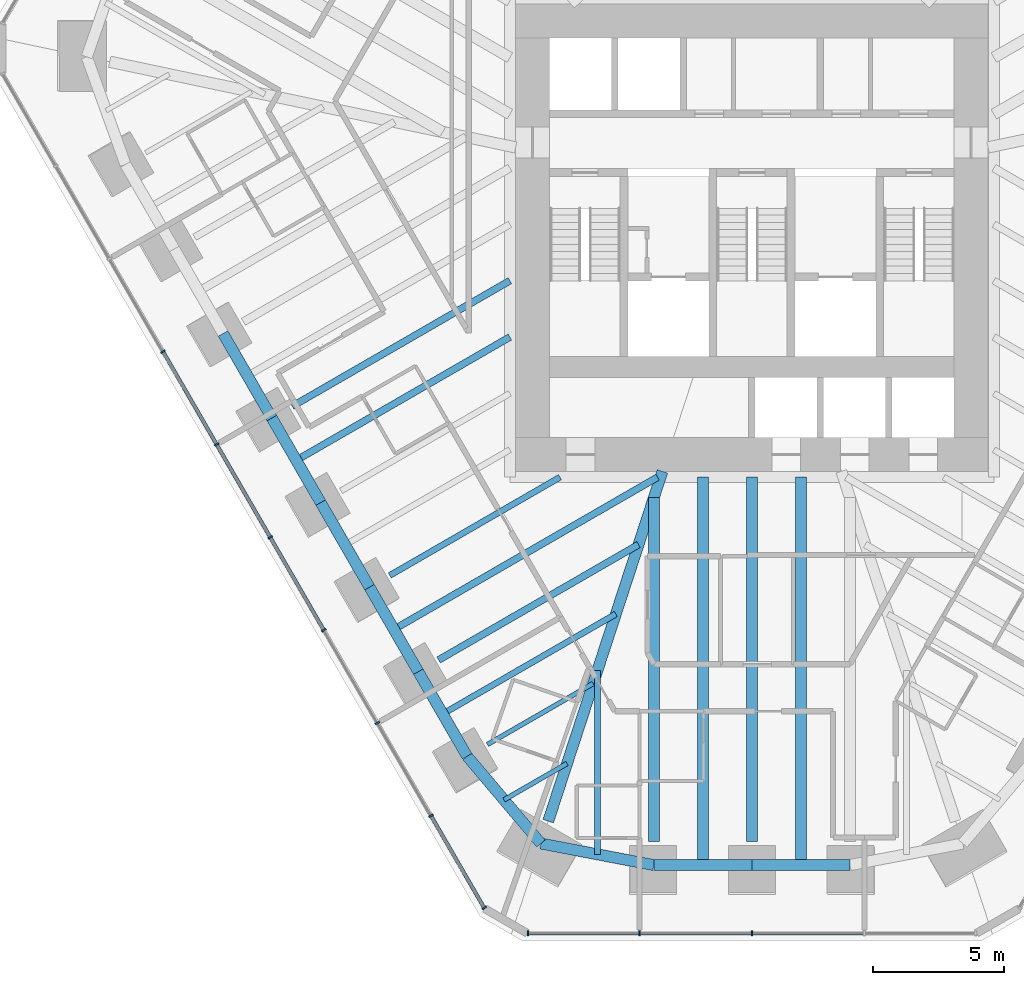
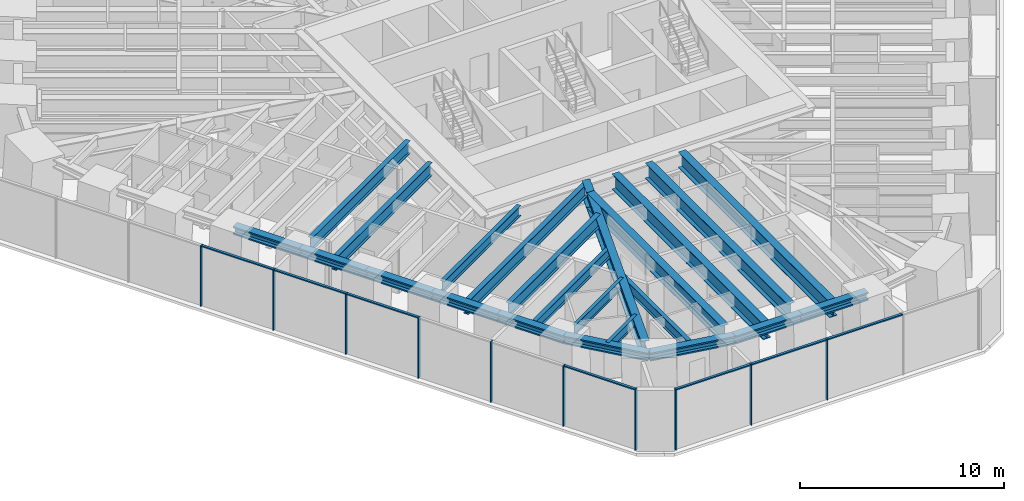
# One storey, part 2 of 17: 23 beams, 17 members, 2 elements without a shape of their own.
"""IFC4 building model written with IfcOpenShell, lengths in metres."""

from ifc_helpers import new_model, si_unit, direction, frame, origin, origin_2d, place, context, subcontext, project, spatial, rectangle, i_section, extrude, material, material_profile, profile_set, type_object, element, aggregate, save


model = new_model("IFC4")

# Units and contexts
model_context = context("Model", 3, precision=1e-05, world=origin(), true_north=direction((0.0, 1.0)))
body_context = subcontext(model_context, "Body", "Model", "MODEL_VIEW")
ifc_project = project(units=[si_unit("LENGTHUNIT", "METRE"), si_unit("AREAUNIT", "SQUARE_METRE"), si_unit("VOLUMEUNIT", "CUBIC_METRE"), si_unit("PLANEANGLEUNIT", "RADIAN"), si_unit("MASSUNIT", "GRAM", prefix="KILO")], contexts=[model_context])

# Site, building, storey
site_placement = place(None, origin())
site = spatial("IfcSite", under=ifc_project, at=site_placement, CompositionType="ELEMENT")
building_placement = place(site_placement, origin())
building = spatial("IfcBuilding", under=site, at=building_placement, Name="Sandreach Pilgrim Tower", CompositionType="ELEMENT")
storey_placement = place(building_placement, frame((0.0, 0.0, 169.0)))
storey = spatial("IfcBuildingStorey", under=building, at=storey_placement, Name="L42", CompositionType="ELEMENT", Elevation=169.0)

# Beams
ifc_material_1 = material(Name="Steel ASTM A913 Grade 65", Category="steel")
ifc_material_profile_1 = material_profile(ifc_material_1, i_section(OverallWidth=0.4267578125, OverallDepth=0.482666015625, WebThickness=0.05126953125, FlangeThickness=0.08154296875, at=origin_2d()), Name="W14X455")
ifc_profile_set_1 = profile_set([ifc_material_profile_1], Name="Steel ASTM A913 Grade 65")
beam_type_1 = type_object("IfcBeamType", Name="Belt truss chord W14X455", PredefinedType="BEAM", material=ifc_profile_set_1)
for number, where, z_axis, x_axis, name in (
    (1, (3.75732421875, -25.58447265625, 3.398681640625), (-1.0, 0.0, 0.0), (0.0, -1.0, 0.0), "BM L42 BTB23"),
    (2, (0.0, -25.58447265625, 3.398681640625), (-1.0, 0.0, 0.0), (0.0, -1.0, 0.0), "BM L42 BTB24"),
):
    element("IfcBeam", number, at=place(storey_placement, frame(where, z_axis=z_axis, x_axis=x_axis)), inside=storey, type_object=beam_type_1, Name=name, PredefinedType="BEAM", context=body_context, shape_type="SweptSolid", body=[
        extrude(i_section(OverallWidth=0.4267578125, OverallDepth=0.482666015625, WebThickness=0.05126953125, FlangeThickness=0.08154296875, at=origin_2d()), origin(), (0.0, 0.0, 1.0), 3.75732421875),
    ])
beam_1_placement = place(storey_placement, frame((-3.75732421875, -25.58447265625, 3.398681640625), z_axis=(-0.982235520779, 0.18765228941, 0.0), x_axis=(-0.18765228941, -0.982235520779, 0.0)))
element("IfcBeam", 3, at=beam_1_placement, inside=storey, type_object=beam_type_1, Name="BM L42 BTB25", PredefinedType="BEAM", context=body_context, shape_type="SweptSolid", body=[
    extrude(i_section(OverallWidth=0.4267578125, OverallDepth=0.482666015625, WebThickness=0.05126953125, FlangeThickness=0.08154296875, at=origin_2d()), origin(), (0.0, 0.0, 1.0), 4.402587890625),
])
beam_2_placement = place(storey_placement, frame((-8.081787109375, -24.75830078125, 3.398681640625), z_axis=(-0.645737346686, 0.763559610702, 0.0), x_axis=(-0.763559610702, -0.645737346686, 0.0)))
element("IfcBeam", 4, at=beam_2_placement, inside=storey, type_object=beam_type_1, Name="BM L42 BTB26", PredefinedType="BEAM", context=body_context, shape_type="SweptSolid", body=[
    extrude(i_section(OverallWidth=0.4267578125, OverallDepth=0.482666015625, WebThickness=0.05126953125, FlangeThickness=0.08154296875, at=origin_2d()), origin(), (0.0, 0.0, 1.0), 4.38037109375),
])
for number, where, z_axis, x_axis, name in (
    (5, (-10.910400390625, -21.41357421875, 3.398681640625), (-0.499993700073, 0.866029041019, 0.0), (-0.866029041019, -0.499993700073, 0.0), "BM L42 BTB27"),
    (6, (-12.7802734375, -18.1748046875, 3.398681640625), (-0.499993700073, 0.866029041019, 0.0), (-0.866029041019, -0.499993700073, 0.0), "BM L42 BTB28"),
):
    element("IfcBeam", number, at=place(storey_placement, frame(where, z_axis=z_axis, x_axis=x_axis)), inside=storey, type_object=beam_type_1, Name=name, PredefinedType="BEAM", context=body_context, shape_type="SweptSolid", body=[
        extrude(i_section(OverallWidth=0.4267578125, OverallDepth=0.482666015625, WebThickness=0.05126953125, FlangeThickness=0.08154296875, at=origin_2d()), origin(), (0.0, 0.0, 1.0), 3.73974609375),
    ])
for number, where, z_axis, x_axis, name in (
    (7, (-14.650146484375, -14.93603515625, 3.398681640625), (-0.500042659475, 0.866000772924, 0.0), (-0.866000772924, -0.500042659475, 0.0), "BM L42 BTB29"),
    (8, (-16.520263671875, -11.697265625, 3.398681640625), (-0.499965433771, 0.866045359686, 0.0), (-0.866045359686, -0.499965433771, 0.0), "BM L42 BTB30"),
):
    element("IfcBeam", number, at=place(storey_placement, frame(where, z_axis=z_axis, x_axis=x_axis)), inside=storey, type_object=beam_type_1, Name=name, PredefinedType="BEAM", context=body_context, shape_type="SweptSolid", body=[
        extrude(i_section(OverallWidth=0.4267578125, OverallDepth=0.482666015625, WebThickness=0.05126953125, FlangeThickness=0.08154296875, at=origin_2d()), origin(), (0.0, 0.0, 1.0), 3.739990234375),
    ])
beam_3_placement = place(storey_placement, frame((-18.39013671875, -8.458251953125, 3.398681640625), z_axis=(-0.499993700073, 0.866029041019, 0.0), x_axis=(-0.866029041019, -0.499993700073, 0.0)))
element("IfcBeam", 9, at=beam_3_placement, inside=storey, type_object=beam_type_1, Name="BM L42 BTB31", PredefinedType="BEAM", context=body_context, shape_type="SweptSolid", body=[
    extrude(i_section(OverallWidth=0.4267578125, OverallDepth=0.482666015625, WebThickness=0.05126953125, FlangeThickness=0.08154296875, at=origin_2d()), origin(), (0.0, 0.0, 1.0), 3.73974609375),
])

# Curtain wall, members
ifc_material_2 = material(Name="Aluminium framed curtain wall", Category="aluminium")
curtain_wall_type = type_object("IfcCurtainWallType", Name="Hotel tower curtain wall", PredefinedType="NOTDEFINED", material=ifc_material_2)
curtain_wall_1_placement = place(storey_placement, origin())
curtain_wall_1 = element("IfcCurtainWall", 10, at=curtain_wall_1_placement, inside=storey, type_object=curtain_wall_type, Name="CW-2 L42 S", PredefinedType="NOTDEFINED")
ifc_material_3 = material(Name="Aluminium extrusion", Category="aluminium")
ifc_material_profile_2 = material_profile(ifc_material_3, rectangle(XDim=0.06494140625, YDim=0.179931640625, at=origin_2d()), Name="CW-2M 65X180")
ifc_profile_set_2 = profile_set([ifc_material_profile_2], Name="Aluminium extrusion")
member_type_1 = type_object("IfcMemberType", Name="CW-2 mullion", PredefinedType="MULLION", material=ifc_profile_set_2)
member_1_placement = place(storey_placement, frame((0.0, -28.192138671875, 0.0), z_axis=(0.0, 0.0, 1.0), x_axis=(-1.0, 0.0, 0.0)))
member_1 = element("IfcMember", 11, at=member_1_placement, type_object=member_type_1, Name="CW-2 mullion 3", PredefinedType="MULLION", context=body_context, shape_type="SweptSolid", body=[
    extrude(rectangle(XDim=0.06494140625, YDim=0.179931640625, at=origin_2d()), origin(), (0.0, 0.0, 1.0), 3.639892578125),
])
member_2_placement = place(storey_placement, frame((-4.3056640625, -28.192138671875, 0.0), z_axis=(0.0, 0.0, 1.0), x_axis=(-1.0, 0.0, 0.0)))
member_2 = element("IfcMember", 12, at=member_2_placement, type_object=member_type_1, Name="CW-2 mullion 4", PredefinedType="MULLION", context=body_context, shape_type="SweptSolid", body=[
    extrude(rectangle(XDim=0.06494140625, YDim=0.179931640625, at=origin_2d()), origin(), (0.0, 0.0, 1.0), 3.639892578125),
])
member_3_placement = place(storey_placement, frame((-8.578857421875, -28.192138671875, 0.0), z_axis=(0.0, 0.0, 1.0), x_axis=(-1.0, 0.0, 0.0)))
member_3 = element("IfcMember", 13, at=member_3_placement, type_object=member_type_1, Name="CW-2 mullion 5", PredefinedType="MULLION", context=body_context, shape_type="SweptSolid", body=[
    extrude(rectangle(XDim=0.06494140625, YDim=0.179931640625, at=origin_2d()), origin(), (0.0, 0.0, 1.0), 3.639892578125),
])

curtain_wall_2_placement = place(storey_placement, origin())
curtain_wall_2 = element("IfcCurtainWall", 14, at=curtain_wall_2_placement, inside=storey, type_object=curtain_wall_type, Name="CW-2 L42 SW", PredefinedType="NOTDEFINED")
member_4_placement = place(storey_placement, frame((-10.255859375, -27.22412109375, 0.0), z_axis=(0.0, 0.0, 1.0), x_axis=(-0.5, 0.866025403784, 0.0)))
member_4 = element("IfcMember", 15, at=member_4_placement, type_object=member_type_1, Name="CW-2 mullion 1", PredefinedType="MULLION", context=body_context, shape_type="SweptSolid", body=[
    extrude(rectangle(XDim=0.06494140625, YDim=0.179931640625, at=origin_2d()), origin(), (0.0, 0.0, 1.0), 3.639892578125),
])
member_5_placement = place(storey_placement, frame((-12.29296875, -23.695556640625, 0.0), z_axis=(0.0, 0.0, 1.0), x_axis=(-0.5, 0.866025403784, 0.0)))
member_5 = element("IfcMember", 16, at=member_5_placement, type_object=member_type_1, Name="CW-2 mullion 2", PredefinedType="MULLION", context=body_context, shape_type="SweptSolid", body=[
    extrude(rectangle(XDim=0.06494140625, YDim=0.179931640625, at=origin_2d()), origin(), (0.0, 0.0, 1.0), 3.639892578125),
])
member_6_placement = place(storey_placement, frame((-14.346435546875, -20.138671875, 0.0), z_axis=(0.0, 0.0, 1.0), x_axis=(-0.5, 0.866025403784, 0.0)))
member_6 = element("IfcMember", 17, at=member_6_placement, type_object=member_type_1, Name="CW-2 mullion 3", PredefinedType="MULLION", context=body_context, shape_type="SweptSolid", body=[
    extrude(rectangle(XDim=0.06494140625, YDim=0.179931640625, at=origin_2d()), origin(), (0.0, 0.0, 1.0), 3.639892578125),
])
member_7_placement = place(storey_placement, frame((-16.39990234375, -16.58203125, 0.0), z_axis=(0.0, 0.0, 1.0), x_axis=(-0.5, 0.866025403784, 0.0)))
member_7 = element("IfcMember", 18, at=member_7_placement, type_object=member_type_1, Name="CW-2 mullion 4", PredefinedType="MULLION", context=body_context, shape_type="SweptSolid", body=[
    extrude(rectangle(XDim=0.06494140625, YDim=0.179931640625, at=origin_2d()), origin(), (0.0, 0.0, 1.0), 3.639892578125),
])
member_8_placement = place(storey_placement, frame((-18.453369140625, -13.025146484375, 0.0), z_axis=(0.0, 0.0, 1.0), x_axis=(-0.5, 0.866025403784, 0.0)))
member_8 = element("IfcMember", 19, at=member_8_placement, type_object=member_type_1, Name="CW-2 mullion 5", PredefinedType="MULLION", context=body_context, shape_type="SweptSolid", body=[
    extrude(rectangle(XDim=0.06494140625, YDim=0.179931640625, at=origin_2d()), origin(), (0.0, 0.0, 1.0), 3.639892578125),
])
member_9_placement = place(storey_placement, frame((-20.5068359375, -9.468505859375, 0.0), z_axis=(0.0, 0.0, 1.0), x_axis=(-0.5, 0.866025403784, 0.0)))
member_9 = element("IfcMember", 20, at=member_9_placement, type_object=member_type_1, Name="CW-2 mullion 6", PredefinedType="MULLION", context=body_context, shape_type="SweptSolid", body=[
    extrude(rectangle(XDim=0.06494140625, YDim=0.179931640625, at=origin_2d()), origin(), (0.0, 0.0, 1.0), 3.639892578125),
])
member_10_placement = place(storey_placement, frame((-22.560302734375, -5.911865234375, 0.0), z_axis=(0.0, 0.0, 1.0), x_axis=(-0.5, 0.866025403784, 0.0)))
member_10 = element("IfcMember", 21, at=member_10_placement, type_object=member_type_1, Name="CW-2 mullion 7", PredefinedType="MULLION", context=body_context, shape_type="SweptSolid", body=[
    extrude(rectangle(XDim=0.06494140625, YDim=0.179931640625, at=origin_2d()), origin(), (0.0, 0.0, 1.0), 3.639892578125),
])

# Member
ifc_material_4 = material(Name="Aluminium extrusion", Category="aluminium")
ifc_material_profile_3 = material_profile(ifc_material_4, rectangle(XDim=0.139892578125, YDim=0.070068359375, at=origin_2d()), Name="CW-2T 140X70")
ifc_profile_set_3 = profile_set([ifc_material_profile_3], Name="Aluminium extrusion")
member_type_2 = type_object("IfcMemberType", Name="CW-2 transom", PredefinedType="USERDEFINED", material=ifc_profile_set_3)
member_11_placement = place(storey_placement, frame((4.273193359375, -28.192138671875, 3.60498046875), z_axis=(-1.0, 0.0, 0.0), x_axis=(0.0, -1.0, 0.0)))
member_11 = element("IfcMember", 22, at=member_11_placement, type_object=member_type_2, Name="CW-2 head transom 2", ObjectType="TRANSOM", PredefinedType="USERDEFINED", context=body_context, shape_type="SweptSolid", body=[
    extrude(rectangle(XDim=0.139892578125, YDim=0.070068359375, at=origin_2d()), origin(), (0.0, 0.0, 1.0), 4.24072265625),
])

member_12_placement = place(storey_placement, frame((-0.032470703125, -28.192138671875, 3.60498046875), z_axis=(-1.0, 0.0, 0.0), x_axis=(0.0, -1.0, 0.0)))
member_12 = element("IfcMember", 23, at=member_12_placement, type_object=member_type_2, Name="CW-2 head transom 3", ObjectType="TRANSOM", PredefinedType="USERDEFINED", context=body_context, shape_type="SweptSolid", body=[
    extrude(rectangle(XDim=0.139892578125, YDim=0.070068359375, at=origin_2d()), origin(), (0.0, 0.0, 1.0), 4.24072265625),
])

member_13_placement = place(storey_placement, frame((-4.338134765625, -28.192138671875, 3.60498046875), z_axis=(-1.0, 0.0, 0.0), x_axis=(0.0, -1.0, 0.0)))
member_13 = element("IfcMember", 24, at=member_13_placement, type_object=member_type_2, Name="CW-2 head transom 4", ObjectType="TRANSOM", PredefinedType="USERDEFINED", context=body_context, shape_type="SweptSolid", body=[
    extrude(rectangle(XDim=0.139892578125, YDim=0.070068359375, at=origin_2d()), origin(), (0.0, 0.0, 1.0), 4.208251953125),
])

aggregate(curtain_wall_1, [member_1, member_2, member_3, member_11, member_12, member_13])

member_14_placement = place(storey_placement, frame((-10.27197265625, -27.196044921875, 3.60498046875), z_axis=(-0.500015851672, 0.866016251624, 0.0), x_axis=(-0.866016251624, -0.500015851672, 0.0)))
member_14 = element("IfcMember", 25, at=member_14_placement, type_object=member_type_2, Name="CW-2 head transom 1", ObjectType="TRANSOM", PredefinedType="USERDEFINED", context=body_context, shape_type="SweptSolid", body=[
    extrude(rectangle(XDim=0.139892578125, YDim=0.070068359375, at=origin_2d()), origin(), (0.0, 0.0, 1.0), 4.009521484375),
])

member_15_placement = place(storey_placement, frame((-16.416259765625, -16.553955078125, 3.60498046875), z_axis=(-0.499997818338, 0.866026663364, 0.0), x_axis=(-0.866026663364, -0.499997818338, 0.0)))
member_15 = element("IfcMember", 26, at=member_15_placement, type_object=member_type_2, Name="CW-2 head transom 4", ObjectType="TRANSOM", PredefinedType="USERDEFINED", context=body_context, shape_type="SweptSolid", body=[
    extrude(rectangle(XDim=0.139892578125, YDim=0.070068359375, at=origin_2d()), origin(), (0.0, 0.0, 1.0), 4.0419921875),
])

member_16_placement = place(storey_placement, frame((-18.4697265625, -12.9970703125, 3.60498046875), z_axis=(-0.499997818338, 0.866026663364, 0.0), x_axis=(-0.866026663364, -0.499997818338, 0.0)))
member_16 = element("IfcMember", 27, at=member_16_placement, type_object=member_type_2, Name="CW-2 head transom 5", ObjectType="TRANSOM", PredefinedType="USERDEFINED", context=body_context, shape_type="SweptSolid", body=[
    extrude(rectangle(XDim=0.139892578125, YDim=0.070068359375, at=origin_2d()), origin(), (0.0, 0.0, 1.0), 4.0419921875),
])

member_17_placement = place(storey_placement, frame((-20.523193359375, -9.4404296875, 3.60498046875), z_axis=(-0.499997818338, 0.866026663364, 0.0), x_axis=(-0.866026663364, -0.499997818338, 0.0)))
member_17 = element("IfcMember", 28, at=member_17_placement, type_object=member_type_2, Name="CW-2 head transom 6", ObjectType="TRANSOM", PredefinedType="USERDEFINED", context=body_context, shape_type="SweptSolid", body=[
    extrude(rectangle(XDim=0.139892578125, YDim=0.070068359375, at=origin_2d()), origin(), (0.0, 0.0, 1.0), 4.0419921875),
])

aggregate(curtain_wall_2, [member_4, member_5, member_6, member_7, member_8, member_9, member_10, member_14, member_15, member_16, member_17])

# Beams
ifc_material_5 = material(Name="Steel ASTM A992 Grade 50", Category="steel")
ifc_material_profile_4 = material_profile(ifc_material_5, i_section(OverallWidth=0.421630859375, OverallDepth=0.937255859375, WebThickness=0.0224609375, FlangeThickness=0.039794921875, at=origin_2d()), Name="W36X282")
ifc_profile_set_4 = profile_set([ifc_material_profile_4], Name="Steel ASTM A992 Grade 50")
beam_type_2 = type_object("IfcBeamType", Name="Corner girder W36X282", PredefinedType="BEAM", material=ifc_profile_set_4)
beam_4_placement = place(storey_placement, frame((-7.802490234375, -23.90283203125, 3.17138671875), z_axis=(0.310309808496, 0.950635483638, 0.0), x_axis=(-0.950635483638, 0.310309808496, 0.0)))
element("IfcBeam", 29, at=beam_4_placement, inside=storey, type_object=beam_type_2, Name="BM L42 CG26", PredefinedType="BEAM", context=body_context, shape_type="SweptSolid", body=[
    extrude(i_section(OverallWidth=0.421630859375, OverallDepth=0.937255859375, WebThickness=0.0224609375, FlangeThickness=0.039794921875, at=origin_2d()), origin(), (0.0, 0.0, 1.0), 14.098876953125),
])
ifc_material_6 = material(Name="Steel ASTM A992 Grade 50", Category="steel")
ifc_material_profile_5 = material_profile(ifc_material_6, i_section(OverallWidth=0.1787109375, OverallDepth=0.60205078125, WebThickness=0.010986328125, FlangeThickness=0.014892578125, at=origin_2d()), Name="W24X62")
ifc_profile_set_5 = profile_set([ifc_material_profile_5], Name="Steel ASTM A992 Grade 50")
beam_type_3 = type_object("IfcBeamType", Name="Floor beam W24X62", PredefinedType="BEAM", material=ifc_profile_set_5)
beam_5_placement = place(storey_placement, frame((-10.130859375, -20.963623046875, 3.339111328125), z_axis=(0.866015242679, 0.500017599138, 0.0), x_axis=(-0.500017599138, 0.866015242679, 0.0)))
element("IfcBeam", 30, at=beam_5_placement, inside=storey, type_object=beam_type_3, Name="BM L42 F27", PredefinedType="BEAM", context=body_context, shape_type="SweptSolid", body=[
    extrude(i_section(OverallWidth=0.1787109375, OverallDepth=0.60205078125, WebThickness=0.010986328125, FlangeThickness=0.014892578125, at=origin_2d()), origin(), (0.0, 0.0, 1.0), 4.677978515625),
])
beam_6_placement = place(storey_placement, frame((-9.49609375, -23.0859375, 3.339111328125), z_axis=(0.866036909293, 0.499980071345, 0.0), x_axis=(-0.499980071345, 0.866036909293, 0.0)))
element("IfcBeam", 31, at=beam_6_placement, inside=storey, type_object=beam_type_3, Name="BM L42 FM26", PredefinedType="BEAM", context=body_context, shape_type="SweptSolid", body=[
    extrude(i_section(OverallWidth=0.1787109375, OverallDepth=0.60205078125, WebThickness=0.010986328125, FlangeThickness=0.014892578125, at=origin_2d()), origin(), (0.0, 0.0, 1.0), 2.7890625),
])
ifc_material_7 = material(Name="Steel ASTM A992 Grade 50", Category="steel")
ifc_material_profile_6 = material_profile(ifc_material_7, i_section(OverallWidth=0.23046875, OverallDepth=0.6171875, WebThickness=0.01318359375, FlangeThickness=0.022216796875, at=origin_2d()), Name="W24X94")
ifc_profile_set_6 = profile_set([ifc_material_profile_6], Name="Steel ASTM A992 Grade 50")
beam_type_4 = type_object("IfcBeamType", Name="Floor beam W24X94", PredefinedType="BEAM", material=ifc_profile_set_6)
beam_7_placement = place(storey_placement, frame((-13.870849609375, -14.486083984375, 3.331298828125), z_axis=(0.866025182435, 0.500000383388, 0.0), x_axis=(-0.500000383388, 0.866025182435, 0.0)))
element("IfcBeam", 32, at=beam_7_placement, inside=storey, type_object=beam_type_4, Name="BM L42 F29", PredefinedType="BEAM", context=body_context, shape_type="SweptSolid", body=[
    extrude(i_section(OverallWidth=0.23046875, OverallDepth=0.6171875, WebThickness=0.01318359375, FlangeThickness=0.022216796875, at=origin_2d()), origin(), (0.0, 0.0, 1.0), 7.52783203125),
])
beam_8_placement = place(storey_placement, frame((-5.91943359375, -25.17138671875, 3.331298828125), z_axis=(0.0, 1.0, 0.0), x_axis=(-1.0, 0.0, 0.0)))
element("IfcBeam", 33, at=beam_8_placement, inside=storey, type_object=beam_type_4, Name="BM L42 FM25", PredefinedType="BEAM", context=body_context, shape_type="SweptSolid", body=[
    extrude(i_section(OverallWidth=0.23046875, OverallDepth=0.6171875, WebThickness=0.01318359375, FlangeThickness=0.022216796875, at=origin_2d()), origin(), (0.0, 0.0, 1.0), 7.037109375),
])
beam_9_placement = place(storey_placement, frame((-11.845458984375, -19.794189453125, 3.331298828125), z_axis=(0.866032214685, 0.499988202988, 0.0), x_axis=(-0.499988202988, 0.866032214685, 0.0)))
element("IfcBeam", 34, at=beam_9_placement, inside=storey, type_object=beam_type_4, Name="BM L42 FM27", PredefinedType="BEAM", context=body_context, shape_type="SweptSolid", body=[
    extrude(i_section(OverallWidth=0.23046875, OverallDepth=0.6171875, WebThickness=0.01318359375, FlangeThickness=0.022216796875, at=origin_2d()), origin(), (0.0, 0.0, 1.0), 7.660888671875),
])
ifc_material_8 = material(Name="Steel ASTM A992 Grade 50", Category="steel")
ifc_material_profile_7 = material_profile(ifc_material_8, i_section(OverallWidth=0.2666015625, OverallDepth=0.761962890625, WebThickness=0.014404296875, FlangeThickness=0.021484375, at=origin_2d()), Name="W30X116")
ifc_profile_set_7 = profile_set([ifc_material_profile_7], Name="Steel ASTM A992 Grade 50")
beam_type_5 = type_object("IfcBeamType", Name="Floor beam W30X116", PredefinedType="BEAM", material=ifc_profile_set_7)
beam_10_placement = place(storey_placement, frame((-12.0009765625, -17.724853515625, 3.259033203125), z_axis=(0.866024215439, 0.500002058268, 0.0), x_axis=(-0.500002058268, 0.866024215439, 0.0)))
element("IfcBeam", 35, at=beam_10_placement, inside=storey, type_object=beam_type_5, Name="BM L42 F28", PredefinedType="BEAM", context=body_context, shape_type="SweptSolid", body=[
    extrude(i_section(OverallWidth=0.2666015625, OverallDepth=0.761962890625, WebThickness=0.014404296875, FlangeThickness=0.021484375, at=origin_2d()), origin(), (0.0, 0.0, 1.0), 8.84326171875),
])
beam_11_placement = place(storey_placement, frame((-17.610595703125, -8.00830078125, 3.259033203125), z_axis=(0.866029778435, 0.499992422807, 0.0), x_axis=(-0.499992422807, 0.866029778435, 0.0)))
element("IfcBeam", 36, at=beam_11_placement, inside=storey, type_object=beam_type_5, Name="BM L42 F31", PredefinedType="BEAM", context=body_context, shape_type="SweptSolid", body=[
    extrude(i_section(OverallWidth=0.2666015625, OverallDepth=0.761962890625, WebThickness=0.014404296875, FlangeThickness=0.021484375, at=origin_2d()), origin(), (0.0, 0.0, 1.0), 9.628662109375),
])
beam_12_placement = place(storey_placement, frame((-17.455078125, -10.07763671875, 3.259033203125), z_axis=(0.866032411066, 0.499987862836, 0.0), x_axis=(-0.499987862836, 0.866032411066, 0.0)))
element("IfcBeam", 37, at=beam_12_placement, inside=storey, type_object=beam_type_5, Name="BM L42 FM30", PredefinedType="BEAM", context=body_context, shape_type="SweptSolid", body=[
    extrude(i_section(OverallWidth=0.2666015625, OverallDepth=0.761962890625, WebThickness=0.014404296875, FlangeThickness=0.021484375, at=origin_2d()), origin(), (0.0, 0.0, 1.0), 9.448974609375),
])
ifc_material_9 = material(Name="Steel ASTM A992 Grade 50", Category="steel")
ifc_material_profile_8 = material_profile(ifc_material_9, i_section(OverallWidth=0.2666015625, OverallDepth=0.77978515625, WebThickness=0.0166015625, FlangeThickness=0.030029296875, at=origin_2d()), Name="W30X148")
ifc_profile_set_8 = profile_set([ifc_material_profile_8], Name="Steel ASTM A992 Grade 50")
beam_type_6 = type_object("IfcBeamType", Name="Floor beam W30X148", PredefinedType="BEAM", material=ifc_profile_set_8)
beam_13_placement = place(storey_placement, frame((-13.71533203125, -16.555419921875, 3.25), z_axis=(0.866025979552, 0.499999002741, 0.0), x_axis=(-0.499999002741, 0.866025979552, 0.0)))
element("IfcBeam", 38, at=beam_13_placement, inside=storey, type_object=beam_type_6, Name="BM L42 FM28", PredefinedType="BEAM", context=body_context, shape_type="SweptSolid", body=[
    extrude(i_section(OverallWidth=0.2666015625, OverallDepth=0.77978515625, WebThickness=0.0166015625, FlangeThickness=0.030029296875, at=origin_2d()), origin(), (0.0, 0.0, 1.0), 11.66650390625),
])
ifc_material_10 = material(Name="Steel ASTM A992 Grade 50", Category="steel")
ifc_material_profile_9 = material_profile(ifc_material_10, i_section(OverallWidth=0.419189453125, OverallDepth=0.927001953125, WebThickness=0.019287109375, FlangeThickness=0.031982421875, at=origin_2d()), Name="W36X231")
ifc_profile_set_9 = profile_set([ifc_material_profile_9], Name="Steel ASTM A992 Grade 50")
beam_type_7 = type_object("IfcBeamType", Name="Floor beam W36X231", PredefinedType="BEAM", material=ifc_profile_set_9)
beam_14_placement = place(storey_placement, frame((0.0, -24.684326171875, 3.176513671875), z_axis=(0.0, 1.0, 0.0), x_axis=(-1.0, 0.0, 0.0)))
element("IfcBeam", 39, at=beam_14_placement, inside=storey, type_object=beam_type_7, Name="BM L42 F24", PredefinedType="BEAM", context=body_context, shape_type="SweptSolid", body=[
    extrude(i_section(OverallWidth=0.419189453125, OverallDepth=0.927001953125, WebThickness=0.019287109375, FlangeThickness=0.031982421875, at=origin_2d()), origin(), (0.0, 0.0, 1.0), 13.962158203125),
])
beam_15_placement = place(storey_placement, frame((-3.75732421875, -24.684326171875, 3.176513671875), z_axis=(0.0, 1.0, 0.0), x_axis=(-1.0, 0.0, 0.0)))
element("IfcBeam", 40, at=beam_15_placement, inside=storey, type_object=beam_type_7, Name="BM L42 F25", PredefinedType="BEAM", context=body_context, shape_type="SweptSolid", body=[
    extrude(i_section(OverallWidth=0.419189453125, OverallDepth=0.927001953125, WebThickness=0.019287109375, FlangeThickness=0.031982421875, at=origin_2d()), origin(), (0.0, 0.0, 1.0), 13.174072265625),
])
for number, where, z_axis, x_axis, name in (
    (41, (1.878662109375, -25.58447265625, 3.176513671875), (0.0, 1.0, 0.0), (-1.0, 0.0, 0.0), "BM L42 FM23"),
    (42, (-1.878662109375, -25.58447265625, 3.176513671875), (0.0, 1.0, 0.0), (-1.0, 0.0, 0.0), "BM L42 FM24"),
):
    element("IfcBeam", number, at=place(storey_placement, frame(where, z_axis=z_axis, x_axis=x_axis)), inside=storey, type_object=beam_type_7, Name=name, PredefinedType="BEAM", context=body_context, shape_type="SweptSolid", body=[
        extrude(i_section(OverallWidth=0.419189453125, OverallDepth=0.927001953125, WebThickness=0.019287109375, FlangeThickness=0.031982421875, at=origin_2d()), origin(), (0.0, 0.0, 1.0), 14.8623046875),
    ])

save(model, "model.ifc")
